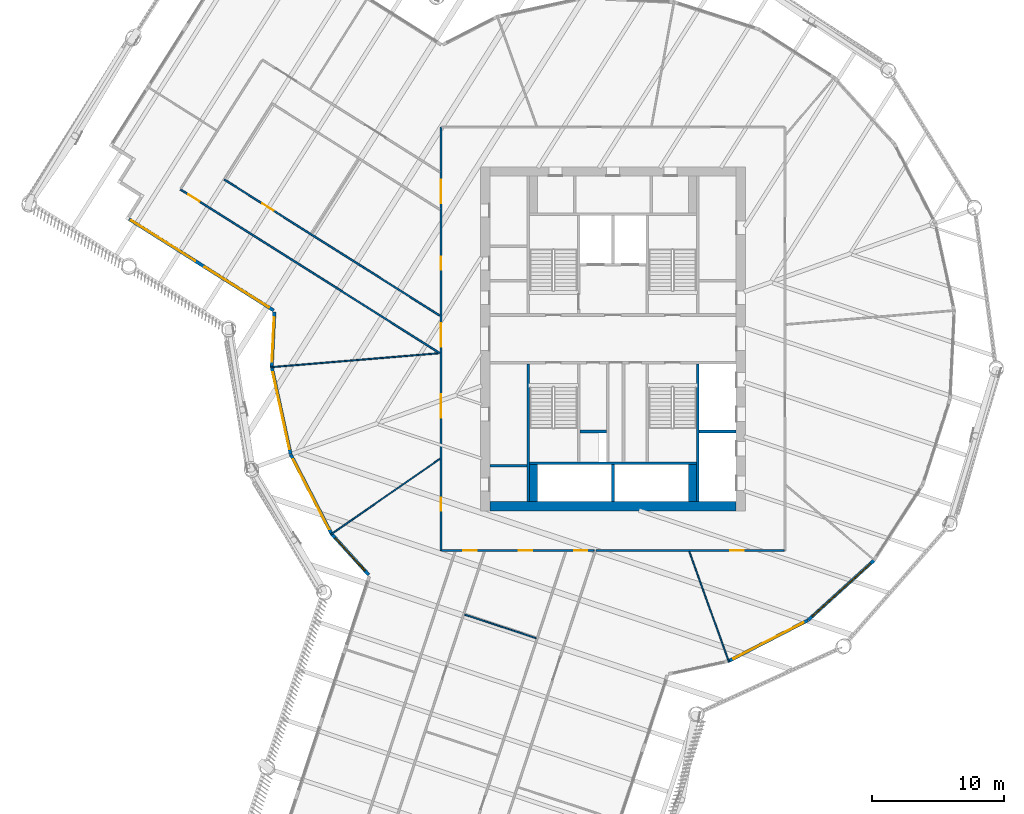
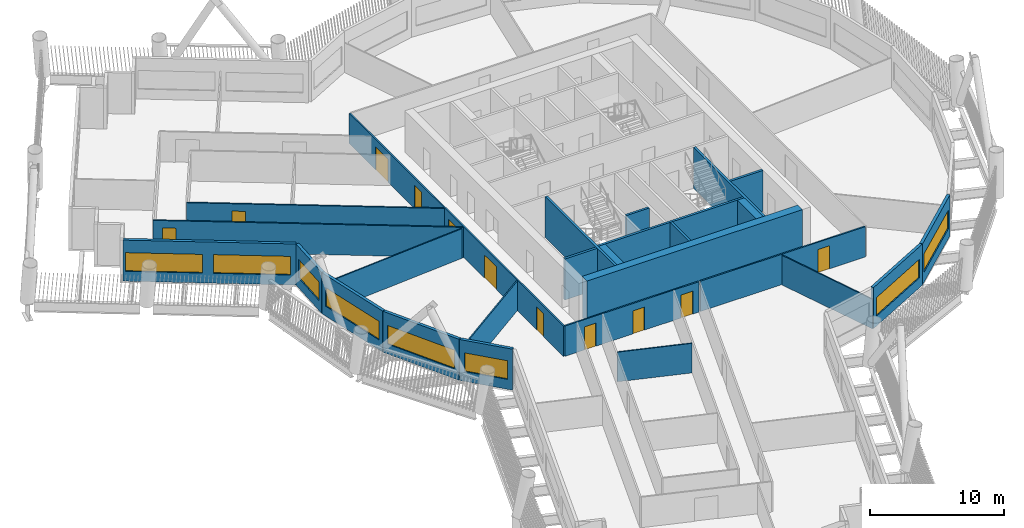
# One storey, part 4 of 22: 26 walls, 11 doors, 8 windows, 19 openings.
"""IFC4 building model written with IfcOpenShell, lengths in metres."""

from ifc_helpers import new_model, si_unit, direction, frame, frame_2d, origin, place, context, subcontext, project, spatial, rectangle, extrude, material, layer, layer_set, type_object, element, fill, save


model = new_model("IFC4")

# Units and contexts
model_context = context("Model", 3, precision=1e-05, world=origin(), true_north=direction((0.0, 1.0)))
body_context = subcontext(model_context, "Body", "Model", "MODEL_VIEW")
ifc_project = project(units=[si_unit("LENGTHUNIT", "METRE"), si_unit("AREAUNIT", "SQUARE_METRE"), si_unit("VOLUMEUNIT", "CUBIC_METRE"), si_unit("PLANEANGLEUNIT", "RADIAN"), si_unit("MASSUNIT", "GRAM", prefix="KILO")], contexts=[model_context])

# Site, building, storey
site_placement = place(None, origin())
site = spatial("IfcSite", under=ifc_project, at=site_placement, CompositionType="ELEMENT")
building_placement = place(site_placement, origin())
building = spatial("IfcBuilding", under=site, at=building_placement, Name="Tarsis Ring Headquarters", CompositionType="ELEMENT")
storey_placement = place(building_placement, frame((0.0, 0.0, 147.60009765625)))
storey = spatial("IfcBuildingStorey", under=building, at=storey_placement, Name="L33", CompositionType="ELEMENT", Elevation=147.60009765625)

# Walls
ifc_material_1 = material(Name="Blockwork", Category="masonry")
ifc_layer_1 = layer(ifc_material_1, 0.199951171875)
ifc_layer_set_1 = layer_set([ifc_layer_1], Name="Core blockwork wall 200")
wall_type_1 = type_object("IfcWallType", Name="Core blockwork wall 200", PredefinedType="PARTITIONING", material=ifc_layer_set_1)
wall_1_placement = place(storey_placement, frame((-9.300048828125, -9.60009765625, 0.0), z_axis=(0.0, 0.0, 1.0), x_axis=(1.0, 0.0, 0.0)))
element("IfcWall", 1, at=wall_1_placement, inside=storey, type_object=wall_type_1, Name="Core partition WD1", PredefinedType="PARTITIONING", context=body_context, shape_type="SweptSolid", body=[
    extrude(rectangle(XDim=2.800048828125, YDim=0.199951171875, at=frame_2d((1.39990234375, 0.0))), origin(), (0.0, 0.0, 1.0), 3.739990234375),
])
wall_2_placement = place(storey_placement, frame((-2.5, -7.0, 0.0), z_axis=(0.0, 0.0, 1.0), x_axis=(1.0, 0.0, 0.0)))
element("IfcWall", 2, at=wall_2_placement, inside=storey, type_object=wall_type_1, Name="Core partition SP1", PredefinedType="PARTITIONING", context=body_context, shape_type="SweptSolid", body=[
    extrude(rectangle(XDim=2.0, YDim=0.199951171875, at=frame_2d((1.0, 0.0))), origin(), (0.0, 0.0, 1.0), 3.739990234375),
])
ifc_material_2 = material(Name="Concrete C60/75", Category="concrete")
ifc_layer_2 = layer(ifc_material_2, 0.699951171875)
ifc_layer_set_2 = layer_set([ifc_layer_2], Name="Core wall 700 C60/75")
wall_type_2 = type_object("IfcWallType", Name="Core wall 700 C60/75", PredefinedType="SHEAR", material=ifc_layer_set_2)
wall_3_placement = place(storey_placement, frame((-9.300048828125, -12.64990234375, 0.0), z_axis=(0.0, 0.0, 1.0), x_axis=(1.0, 0.0, 0.0)))
element("IfcWall", 3, at=wall_3_placement, inside=storey, type_object=wall_type_2, Name="Core wall OS", PredefinedType="SHEAR", context=body_context, shape_type="SweptSolid", body=[
    extrude(rectangle(XDim=18.60009765625, YDim=0.699951171875, at=frame_2d((9.300048828125, 0.0))), origin(), (0.0, 0.0, 1.0), 3.739990234375),
])
ifc_material_3 = material(Name="Gypsum board on steel studs", Category="steel")
ifc_layer_3 = layer(ifc_material_3, 0.10009765625)
ifc_layer_set_3 = layer_set([ifc_layer_3], Name="FL partition 100 unrated")
wall_type_3 = type_object("IfcWallType", Name="FL partition 100 unrated", PredefinedType="PARTITIONING", material=ifc_layer_set_3)
wall_4_placement = place(storey_placement, frame((-25.859130859375, -2.144287109375, 0.0), z_axis=(0.0, 0.0, 1.0), x_axis=(0.996579559742, 0.082638859535, 0.0)))
element("IfcWall", 4, at=wall_4_placement, inside=storey, type_object=wall_type_3, Name="Partition PW3", PredefinedType="PARTITIONING", context=body_context, shape_type="SweptSolid", body=[
    extrude(rectangle(XDim=12.671142578125, YDim=0.10009765625, at=frame_2d((6.33544921875, 0.0))), origin(), (0.0, 0.0, 1.0), 2.699951171875),
])
wall_5_placement = place(storey_placement, frame((-21.322509765625, -14.78662109375, 0.0), z_axis=(0.0, 0.0, 1.0), x_axis=(0.821733534454, 0.569871913989, 0.0)))
element("IfcWall", 5, at=wall_5_placement, inside=storey, type_object=wall_type_3, Name="Partition PW3", PredefinedType="PARTITIONING", context=body_context, shape_type="SweptSolid", body=[
    extrude(rectangle(XDim=10.02783203125, YDim=0.10009765625, at=frame_2d((5.013916015625, 0.0))), origin(), (0.0, 0.0, 1.0), 2.699951171875),
])
wall_6_placement = place(storey_placement, frame((5.7685546875, -16.0751953125, 0.0), z_axis=(0.0, 0.0, 1.0), x_axis=(0.337732821106, -0.941242020709, 0.0)))
element("IfcWall", 6, at=wall_6_placement, inside=storey, type_object=wall_type_3, Name="Partition PW3", PredefinedType="PARTITIONING", context=body_context, shape_type="SweptSolid", body=[
    extrude(rectangle(XDim=8.869140625, YDim=0.10009765625, at=frame_2d((4.4345703125, 0.0))), origin(), (0.0, 0.0, 1.0), 2.699951171875),
])
wall_7_placement = place(storey_placement, frame((-11.213134765625, -20.835693359375, 0.0), z_axis=(0.0, 0.0, 1.0), x_axis=(0.949638335632, -0.313348099562, 0.0)))
element("IfcWall", 7, at=wall_7_placement, inside=storey, type_object=wall_type_3, Name="Partition PW3", PredefinedType="PARTITIONING", context=body_context, shape_type="SweptSolid", body=[
    extrude(rectangle(XDim=5.7001953125, YDim=0.10009765625, at=frame_2d((2.85009765625, 0.0))), origin(), (0.0, 0.0, 1.0), 2.699951171875),
])

# Wall, openings, doors
ifc_layer_4 = layer(ifc_material_3, 0.125)
ifc_layer_set_4 = layer_set([ifc_layer_4], Name="FL partition 125 EI 60 H2770")
wall_type_4 = type_object("IfcWallType", Name="FL partition 125 EI 60 H2770", PredefinedType="PARTITIONING", material=ifc_layer_set_4)
wall_8_placement = place(storey_placement, frame((-13.0, -16.0, 0.0), z_axis=(0.0, 0.0, 1.0), x_axis=(0.0, 1.0, 0.0)))
wall_8 = element("IfcWall", 8, at=wall_8_placement, inside=storey, type_object=wall_type_4, Name="Partition PW1", PredefinedType="PARTITIONING", context=body_context, shape_type="SweptSolid", body=[
    extrude(rectangle(XDim=32.0, YDim=0.125, at=frame_2d((16.0, 0.0))), origin(), (0.0, 0.0, 1.0), 2.77001953125),
])
opening_1_placement = place(wall_8_placement, frame((2.992431640625, 0.0, 0.0)))
opening_1 = element("IfcOpeningElement", 9, at=opening_1_placement, cuts=wall_8, Name="Opening D33.12", PredefinedType="OPENING", context=body_context, shape_type="SweptSolid", body=[
    extrude(rectangle(XDim=1.0, YDim=2.10009765625, at=frame_2d((0.5, 1.050048828125))), frame((0.0, 0.072509765625, 0.0), z_axis=(0.0, -1.0, 0.0), x_axis=(1.0, 0.0, 0.0)), (0.0, 0.0, 1.0), 0.14501953125),
])
opening_2_placement = place(wall_8_placement, frame((10.024169921875, 0.0, 0.0)))
opening_2 = element("IfcOpeningElement", 10, at=opening_2_placement, cuts=wall_8, Name="Opening D33.13", PredefinedType="OPENING", context=body_context, shape_type="SweptSolid", body=[
    extrude(rectangle(XDim=1.800048828125, YDim=2.10009765625, at=frame_2d((0.89990234375, 1.050048828125))), frame((0.0, 0.072509765625, 0.0), z_axis=(0.0, -1.0, 0.0), x_axis=(1.0, 0.0, 0.0)), (0.0, 0.0, 1.0), 0.14501953125),
])
opening_3_placement = place(wall_8_placement, frame((21.21044921875, 0.0, 0.0)))
opening_3 = element("IfcOpeningElement", 11, at=opening_3_placement, cuts=wall_8, Name="Opening D33.14", PredefinedType="OPENING", context=body_context, shape_type="SweptSolid", body=[
    extrude(rectangle(XDim=1.0, YDim=2.10009765625, at=frame_2d((0.5, 1.050048828125))), frame((0.0, 0.072509765625, 0.0), z_axis=(0.0, -1.0, 0.0), x_axis=(1.0, 0.0, 0.0)), (0.0, 0.0, 1.0), 0.14501953125),
])
opening_4_placement = place(wall_8_placement, frame((15.382568359375, 0.0, 0.0)))
opening_4 = element("IfcOpeningElement", 12, at=opening_4_placement, cuts=wall_8, Name="Opening D33.21", PredefinedType="OPENING", context=body_context, shape_type="SweptSolid", body=[
    extrude(rectangle(XDim=1.800048828125, YDim=2.10009765625, at=frame_2d((0.89990234375, 1.050048828125))), frame((0.0, 0.072509765625, 0.0), z_axis=(0.0, -1.0, 0.0), x_axis=(1.0, 0.0, 0.0)), (0.0, 0.0, 1.0), 0.14501953125),
])
opening_5_placement = place(wall_8_placement, frame((26.23828125, 0.0, 0.0)))
opening_5 = element("IfcOpeningElement", 13, at=opening_5_placement, cuts=wall_8, Name="Opening D33.22", PredefinedType="OPENING", context=body_context, shape_type="SweptSolid", body=[
    extrude(rectangle(XDim=1.800048828125, YDim=2.10009765625, at=frame_2d((0.89990234375, 1.050048828125))), frame((0.0, 0.072509765625, 0.0), z_axis=(0.0, -1.0, 0.0), x_axis=(1.0, 0.0, 0.0)), (0.0, 0.0, 1.0), 0.14501953125),
])
ifc_material_4 = material(Name="Fire-rated timber door leaf in steel frame", Category="steel")
door_type_1 = type_object("IfcDoorType", Name="FL door FD60-1000", OperationType="NOTDEFINED", PredefinedType="DOOR", material=ifc_material_4)
door_1_placement = place(opening_1_placement, origin())
door_1 = element("IfcDoor", 14, at=door_1_placement, inside=storey, type_object=door_type_1, Name="Door D33.12", OperationType="SINGLE_SWING_LEFT", OverallHeight=2.10009765625, OverallWidth=1.0, PredefinedType="DOOR", context=body_context, shape_type="SweptSolid", body=[
    extrude(rectangle(XDim=1.0, YDim=2.10009765625, at=frame_2d((0.5, 1.050048828125))), frame((0.0, 0.02490234375, 0.0), z_axis=(0.0, -1.0, 0.0), x_axis=(1.0, 0.0, 0.0)), (0.0, 0.0, 1.0), 0.050048828125),
])
fill(opening_1, door_1)
door_2_placement = place(opening_3_placement, origin())
door_2 = element("IfcDoor", 15, at=door_2_placement, inside=storey, type_object=door_type_1, Name="Door D33.14", OperationType="SINGLE_SWING_LEFT", OverallHeight=2.10009765625, OverallWidth=1.0, PredefinedType="DOOR", context=body_context, shape_type="SweptSolid", body=[
    extrude(rectangle(XDim=1.0, YDim=2.10009765625, at=frame_2d((0.5, 1.050048828125))), frame((0.0, 0.02490234375, 0.0), z_axis=(0.0, -1.0, 0.0), x_axis=(1.0, 0.0, 0.0)), (0.0, 0.0, 1.0), 0.050048828125),
])
fill(opening_3, door_2)
door_type_2 = type_object("IfcDoorType", Name="FL door FD60-1800", OperationType="DOUBLE_DOOR_SINGLE_SWING", PredefinedType="DOOR", material=ifc_material_4)
door_3_placement = place(opening_2_placement, origin())
door_3 = element("IfcDoor", 16, at=door_3_placement, inside=storey, type_object=door_type_2, Name="Door D33.13", OperationType="DOUBLE_DOOR_SINGLE_SWING", OverallHeight=2.10009765625, OverallWidth=1.800048828125, PredefinedType="DOOR", context=body_context, shape_type="SweptSolid", body=[
    extrude(rectangle(XDim=1.800048828125, YDim=2.10009765625, at=frame_2d((0.89990234375, 1.050048828125))), frame((0.0, 0.02490234375, 0.0), z_axis=(0.0, -1.0, 0.0), x_axis=(1.0, 0.0, 0.0)), (0.0, 0.0, 1.0), 0.050048828125),
])
fill(opening_2, door_3)
door_4_placement = place(opening_4_placement, origin())
door_4 = element("IfcDoor", 17, at=door_4_placement, inside=storey, type_object=door_type_2, Name="Door D33.21", OperationType="DOUBLE_DOOR_SINGLE_SWING", OverallHeight=2.10009765625, OverallWidth=1.800048828125, PredefinedType="DOOR", context=body_context, shape_type="SweptSolid", body=[
    extrude(rectangle(XDim=1.800048828125, YDim=2.10009765625, at=frame_2d((0.89990234375, 1.050048828125))), frame((0.0, 0.02490234375, 0.0), z_axis=(0.0, -1.0, 0.0), x_axis=(1.0, 0.0, 0.0)), (0.0, 0.0, 1.0), 0.050048828125),
])
fill(opening_4, door_4)
door_5_placement = place(opening_5_placement, origin())
door_5 = element("IfcDoor", 18, at=door_5_placement, inside=storey, type_object=door_type_2, Name="Door D33.22", OperationType="DOUBLE_DOOR_SINGLE_SWING", OverallHeight=2.10009765625, OverallWidth=1.800048828125, PredefinedType="DOOR", context=body_context, shape_type="SweptSolid", body=[
    extrude(rectangle(XDim=1.800048828125, YDim=2.10009765625, at=frame_2d((0.89990234375, 1.050048828125))), frame((0.0, 0.02490234375, 0.0), z_axis=(0.0, -1.0, 0.0), x_axis=(1.0, 0.0, 0.0)), (0.0, 0.0, 1.0), 0.050048828125),
])
fill(opening_5, door_5)

wall_9_placement = place(storey_placement, frame((-12.93994140625, -16.0, 0.0), z_axis=(0.0, 0.0, 1.0), x_axis=(1.0, 0.0, 0.0)))
wall_9 = element("IfcWall", 19, at=wall_9_placement, inside=storey, type_object=wall_type_4, Name="Partition PW1", PredefinedType="PARTITIONING", context=body_context, shape_type="SweptSolid", body=[
    extrude(rectangle(XDim=11.523193359375, YDim=0.125, at=frame_2d((5.76171875, 0.0))), origin(), (0.0, 0.0, 1.0), 2.77001953125),
])
opening_6_placement = place(wall_9_placement, frame((5.823486328125, 0.0, 0.0)))
opening_6 = element("IfcOpeningElement", 20, at=opening_6_placement, cuts=wall_9, Name="Opening D33.16", PredefinedType="OPENING", context=body_context, shape_type="SweptSolid", body=[
    extrude(rectangle(XDim=1.0, YDim=2.10009765625, at=frame_2d((0.5, 1.050048828125))), frame((0.0, 0.072509765625, 0.0), z_axis=(0.0, -1.0, 0.0), x_axis=(1.0, 0.0, 0.0)), (0.0, 0.0, 1.0), 0.14501953125),
])
opening_7_placement = place(wall_9_placement, frame((1.64306640625, 0.0, 0.0)))
opening_7 = element("IfcOpeningElement", 21, at=opening_7_placement, cuts=wall_9, Name="Opening D33.19", PredefinedType="OPENING", context=body_context, shape_type="SweptSolid", body=[
    extrude(rectangle(XDim=1.0, YDim=2.10009765625, at=frame_2d((0.5, 1.050048828125))), frame((0.0, 0.072509765625, 0.0), z_axis=(0.0, -1.0, 0.0), x_axis=(1.0, 0.0, 0.0)), (0.0, 0.0, 1.0), 0.14501953125),
])
opening_8_placement = place(wall_9_placement, frame((10.004150390625, 0.0, 0.0)))
opening_8 = element("IfcOpeningElement", 22, at=opening_8_placement, cuts=wall_9, Name="Opening D33.20", PredefinedType="OPENING", context=body_context, shape_type="SweptSolid", body=[
    extrude(rectangle(XDim=1.0, YDim=2.10009765625, at=frame_2d((0.5, 1.050048828125))), frame((0.0, 0.072509765625, 0.0), z_axis=(0.0, -1.0, 0.0), x_axis=(1.0, 0.0, 0.0)), (0.0, 0.0, 1.0), 0.14501953125),
])
door_6_placement = place(opening_6_placement, origin())
door_6 = element("IfcDoor", 23, at=door_6_placement, inside=storey, type_object=door_type_1, Name="Door D33.16", OperationType="SINGLE_SWING_LEFT", OverallHeight=2.10009765625, OverallWidth=1.0, PredefinedType="DOOR", context=body_context, shape_type="SweptSolid", body=[
    extrude(rectangle(XDim=1.0, YDim=2.10009765625, at=frame_2d((0.5, 1.050048828125))), frame((0.0, 0.02490234375, 0.0), z_axis=(0.0, -1.0, 0.0), x_axis=(1.0, 0.0, 0.0)), (0.0, 0.0, 1.0), 0.050048828125),
])
fill(opening_6, door_6)
door_7_placement = place(opening_7_placement, origin())
door_7 = element("IfcDoor", 24, at=door_7_placement, inside=storey, type_object=door_type_1, Name="Door D33.19", OperationType="SINGLE_SWING_RIGHT", OverallHeight=2.10009765625, OverallWidth=1.0, PredefinedType="DOOR", context=body_context, shape_type="SweptSolid", body=[
    extrude(rectangle(XDim=1.0, YDim=2.10009765625, at=frame_2d((0.5, 1.050048828125))), frame((0.0, 0.02490234375, 0.0), z_axis=(0.0, -1.0, 0.0), x_axis=(1.0, 0.0, 0.0)), (0.0, 0.0, 1.0), 0.050048828125),
])
fill(opening_7, door_7)
door_8_placement = place(opening_8_placement, origin())
door_8 = element("IfcDoor", 25, at=door_8_placement, inside=storey, type_object=door_type_1, Name="Door D33.20", OperationType="SINGLE_SWING_LEFT", OverallHeight=2.10009765625, OverallWidth=1.0, PredefinedType="DOOR", context=body_context, shape_type="SweptSolid", body=[
    extrude(rectangle(XDim=1.0, YDim=2.10009765625, at=frame_2d((0.5, 1.050048828125))), frame((0.0, 0.02490234375, 0.0), z_axis=(0.0, -1.0, 0.0), x_axis=(1.0, 0.0, 0.0)), (0.0, 0.0, 1.0), 0.050048828125),
])
fill(opening_8, door_8)

# Wall, opening, door
wall_10_placement = place(storey_placement, frame((-1.27099609375, -16.0, 0.0), z_axis=(0.0, 0.0, 1.0), x_axis=(1.0, 0.0, 0.0)))
wall_10 = element("IfcWall", 26, at=wall_10_placement, inside=storey, type_object=wall_type_4, Name="Partition PW1", PredefinedType="PARTITIONING", context=body_context, shape_type="SweptSolid", body=[
    extrude(rectangle(XDim=14.2109375, YDim=0.125, at=frame_2d((7.10546875, 0.0))), origin(), (0.0, 0.0, 1.0), 2.77001953125),
])
opening_9_placement = place(wall_10_placement, frame((10.1416015625, 0.0, 0.0)))
opening_9 = element("IfcOpeningElement", 27, at=opening_9_placement, cuts=wall_10, Name="Opening D33.08", PredefinedType="OPENING", context=body_context, shape_type="SweptSolid", body=[
    extrude(rectangle(XDim=1.0, YDim=2.10009765625, at=frame_2d((0.5, 1.050048828125))), frame((0.0, 0.072509765625, 0.0), z_axis=(0.0, -1.0, 0.0), x_axis=(1.0, 0.0, 0.0)), (0.0, 0.0, 1.0), 0.14501953125),
])
door_9_placement = place(opening_9_placement, origin())
door_9 = element("IfcDoor", 28, at=door_9_placement, inside=storey, type_object=door_type_1, Name="Door D33.08", OperationType="SINGLE_SWING_LEFT", OverallHeight=2.10009765625, OverallWidth=1.0, PredefinedType="DOOR", context=body_context, shape_type="SweptSolid", body=[
    extrude(rectangle(XDim=1.0, YDim=2.10009765625, at=frame_2d((0.5, 1.050048828125))), frame((0.0, 0.02490234375, 0.0), z_axis=(0.0, -1.0, 0.0), x_axis=(1.0, 0.0, 0.0)), (0.0, 0.0, 1.0), 0.050048828125),
])
fill(opening_9, door_9)

wall_11_placement = place(storey_placement, frame((-32.689208984375, 11.291259765625, 0.0), z_axis=(0.0, 0.0, 1.0), x_axis=(0.845630508555, -0.53376871677, 0.0)))
wall_11 = element("IfcWall", 29, at=wall_11_placement, inside=storey, type_object=wall_type_4, Name="Partition PW1", PredefinedType="PARTITIONING", context=body_context, shape_type="SweptSolid", body=[
    extrude(rectangle(XDim=23.183349609375, YDim=0.125, at=frame_2d((11.591796875, 0.0))), origin(), (0.0, 0.0, 1.0), 2.77001953125),
])
opening_10_placement = place(wall_11_placement, frame((0.699951171875, 0.0, 0.0)))
opening_10 = element("IfcOpeningElement", 30, at=opening_10_placement, cuts=wall_11, Name="Opening D33.01", PredefinedType="OPENING", context=body_context, shape_type="SweptSolid", body=[
    extrude(rectangle(XDim=1.0, YDim=2.10009765625, at=frame_2d((0.5, 1.050048828125))), frame((0.0, 0.072509765625, 0.0), z_axis=(0.0, -1.0, 0.0), x_axis=(1.0, 0.0, 0.0)), (0.0, 0.0, 1.0), 0.14501953125),
])
door_10_placement = place(opening_10_placement, origin())
door_10 = element("IfcDoor", 31, at=door_10_placement, inside=storey, type_object=door_type_1, Name="Door D33.01", OperationType="SINGLE_SWING_RIGHT", OverallHeight=2.10009765625, OverallWidth=1.0, PredefinedType="DOOR", context=body_context, shape_type="SweptSolid", body=[
    extrude(rectangle(XDim=1.0, YDim=2.10009765625, at=frame_2d((0.5, 1.050048828125))), frame((0.0, 0.02490234375, 0.0), z_axis=(0.0, -1.0, 0.0), x_axis=(1.0, 0.0, 0.0)), (0.0, 0.0, 1.0), 0.050048828125),
])
fill(opening_10, door_10)

wall_12_placement = place(storey_placement, frame((-29.378662109375, 12.039794921875, 0.0), z_axis=(0.0, 0.0, 1.0), x_axis=(0.845629478688, -0.533770348347, 0.0)))
wall_12 = element("IfcWall", 32, at=wall_12_placement, inside=storey, type_object=wall_type_4, Name="Partition PW1", PredefinedType="PARTITIONING", context=body_context, shape_type="SweptSolid", body=[
    extrude(rectangle(XDim=19.268310546875, YDim=0.125, at=frame_2d((9.63427734375, 0.0))), origin(), (0.0, 0.0, 1.0), 2.77001953125),
])
opening_11_placement = place(wall_12_placement, frame((3.40478515625, 0.0, 0.0)))
opening_11 = element("IfcOpeningElement", 33, at=opening_11_placement, cuts=wall_12, Name="Opening D33.15", PredefinedType="OPENING", context=body_context, shape_type="SweptSolid", body=[
    extrude(rectangle(XDim=1.0, YDim=2.10009765625, at=frame_2d((0.5, 1.050048828125))), frame((0.0, 0.072509765625, 0.0), z_axis=(0.0, -1.0, 0.0), x_axis=(1.0, 0.0, 0.0)), (0.0, 0.0, 1.0), 0.14501953125),
])
door_11_placement = place(opening_11_placement, origin())
door_11 = element("IfcDoor", 34, at=door_11_placement, inside=storey, type_object=door_type_1, Name="Door D33.15", OperationType="SINGLE_SWING_RIGHT", OverallHeight=2.10009765625, OverallWidth=1.0, PredefinedType="DOOR", context=body_context, shape_type="SweptSolid", body=[
    extrude(rectangle(XDim=1.0, YDim=2.10009765625, at=frame_2d((0.5, 1.050048828125))), frame((0.0, 0.02490234375, 0.0), z_axis=(0.0, -1.0, 0.0), x_axis=(1.0, 0.0, 0.0)), (0.0, 0.0, 1.0), 0.050048828125),
])
fill(opening_11, door_11)

# Wall, openings, windows
ifc_material_5 = material(Name="Terracotta clad insulated panel wall", Category="masonry")
ifc_layer_5 = layer(ifc_material_5, 0.25)
ifc_layer_set_5 = layer_set([ifc_layer_5], Name="Facade wall terracotta panel 250")
wall_type_5 = type_object("IfcWallType", Name="Facade wall terracotta panel 250", PredefinedType="STANDARD", material=ifc_layer_set_5)
wall_13_placement = place(storey_placement, frame((-36.56982421875, 9.0400390625, 0.0), z_axis=(0.0, 0.0, 1.0), x_axis=(0.845635679256, -0.533760524926, 0.0)))
wall_13 = element("IfcWall", 35, at=wall_13_placement, inside=storey, type_object=wall_type_5, Name="External wall L33-01", PredefinedType="STANDARD", context=body_context, shape_type="SweptSolid", body=[
    extrude(rectangle(XDim=12.921875, YDim=0.25, at=frame_2d((6.4609375, 0.0))), origin(), (0.0, 0.0, 1.0), 3.739990234375),
])
opening_12_placement = place(wall_13_placement, frame((0.16796875, 0.0, 0.89990234375)))
opening_12 = element("IfcOpeningElement", 36, at=opening_12_placement, cuts=wall_13, Name="Opening WN06", PredefinedType="OPENING", context=body_context, shape_type="SweptSolid", body=[
    extrude(rectangle(XDim=5.75, YDim=1.699951171875, at=frame_2d((2.875, 0.85009765625))), frame((0.0, 0.135009765625, 0.0), z_axis=(0.0, -1.0, 0.0), x_axis=(1.0, 0.0, 0.0)), (0.0, 0.0, 1.0), 0.27001953125),
])
opening_13_placement = place(wall_13_placement, frame((6.75390625, 0.0, 0.89990234375)))
opening_13 = element("IfcOpeningElement", 37, at=opening_13_placement, cuts=wall_13, Name="Opening WN06", PredefinedType="OPENING", context=body_context, shape_type="SweptSolid", body=[
    extrude(rectangle(XDim=5.75, YDim=1.699951171875, at=frame_2d((2.875, 0.85009765625))), frame((0.0, 0.135009765625, 0.0), z_axis=(0.0, -1.0, 0.0), x_axis=(1.0, 0.0, 0.0)), (0.0, 0.0, 1.0), 0.27001953125),
])
ifc_material_6 = material(Name="Aluminium framed double glazing", Category="aluminium")
window_type_1 = type_object("IfcWindowType", Name="Facade window 5750 x 1700", PartitioningType="SINGLE_PANEL", PredefinedType="WINDOW", material=ifc_material_6)
window_1_placement = place(opening_12_placement, origin())
window_1 = element("IfcWindow", 38, at=window_1_placement, inside=storey, type_object=window_type_1, Name="Window L33-01.1", OverallHeight=1.699951171875, OverallWidth=5.75, PartitioningType="SINGLE_PANEL", PredefinedType="WINDOW", context=body_context, shape_type="SweptSolid", body=[
    extrude(rectangle(XDim=5.75, YDim=1.699951171875, at=frame_2d((2.875, 0.85009765625))), frame((0.0, 0.030029296875, 0.0), z_axis=(0.0, -1.0, 0.0), x_axis=(1.0, 0.0, 0.0)), (0.0, 0.0, 1.0), 0.06005859375),
])
fill(opening_12, window_1)
window_2_placement = place(opening_13_placement, origin())
window_2 = element("IfcWindow", 39, at=window_2_placement, inside=storey, type_object=window_type_1, Name="Window L33-01.2", OverallHeight=1.699951171875, OverallWidth=5.75, PartitioningType="SINGLE_PANEL", PredefinedType="WINDOW", context=body_context, shape_type="SweptSolid", body=[
    extrude(rectangle(XDim=5.75, YDim=1.699951171875, at=frame_2d((2.875, 0.85009765625))), frame((0.0, 0.030029296875, 0.0), z_axis=(0.0, -1.0, 0.0), x_axis=(1.0, 0.0, 0.0)), (0.0, 0.0, 1.0), 0.06005859375),
])
fill(opening_13, window_2)

# Wall, opening, window
wall_14_placement = place(storey_placement, frame((-25.58447265625, 2.031005859375, 0.0), z_axis=(0.0, 0.0, 1.0), x_axis=(-0.048153844624, -0.998839930744, 0.0)))
wall_14 = element("IfcWall", 40, at=wall_14_placement, inside=storey, type_object=wall_type_5, Name="External wall L33-02", PredefinedType="STANDARD", context=body_context, shape_type="SweptSolid", body=[
    extrude(rectangle(XDim=4.157470703125, YDim=0.25, at=frame_2d((2.07861328125, 0.0))), origin(), (0.0, 0.0, 1.0), 3.739990234375),
])
opening_14_placement = place(wall_14_placement, frame((0.420166015625, 0.0, 0.89990234375)))
opening_14 = element("IfcOpeningElement", 41, at=opening_14_placement, cuts=wall_14, Name="Opening WN01", PredefinedType="OPENING", context=body_context, shape_type="SweptSolid", body=[
    extrude(rectangle(XDim=3.35009765625, YDim=1.699951171875, at=frame_2d((1.675048828125, 0.85009765625))), frame((0.0, 0.135009765625, 0.0), z_axis=(0.0, -1.0, 0.0), x_axis=(1.0, 0.0, 0.0)), (0.0, 0.0, 1.0), 0.27001953125),
])
window_type_2 = type_object("IfcWindowType", Name="Facade window 3350 x 1700", PartitioningType="SINGLE_PANEL", PredefinedType="WINDOW", material=ifc_material_6)
window_3_placement = place(opening_14_placement, origin())
window_3 = element("IfcWindow", 42, at=window_3_placement, inside=storey, type_object=window_type_2, Name="Window L33-02.1", OverallHeight=1.699951171875, OverallWidth=3.35009765625, PartitioningType="SINGLE_PANEL", PredefinedType="WINDOW", context=body_context, shape_type="SweptSolid", body=[
    extrude(rectangle(XDim=3.35009765625, YDim=1.699951171875, at=frame_2d((1.675048828125, 0.85009765625))), frame((0.0, 0.030029296875, 0.0), z_axis=(0.0, -1.0, 0.0), x_axis=(1.0, 0.0, 0.0)), (0.0, 0.0, 1.0), 0.06005859375),
])
fill(opening_14, window_3)

wall_15_placement = place(storey_placement, frame((-25.781982421875, -2.154052734375, 0.0), z_axis=(0.0, 0.0, 1.0), x_axis=(0.212008910902, -0.977267732865, 0.0)))
wall_15 = element("IfcWall", 43, at=wall_15_placement, inside=storey, type_object=wall_type_5, Name="External wall L33-03", PredefinedType="STANDARD", context=body_context, shape_type="SweptSolid", body=[
    extrude(rectangle(XDim=6.7216796875, YDim=0.25, at=frame_2d((3.36083984375, 0.0))), origin(), (0.0, 0.0, 1.0), 3.739990234375),
])
opening_15_placement = place(wall_15_placement, frame((0.3857421875, 0.0, 0.89990234375)))
opening_15 = element("IfcOpeningElement", 44, at=opening_15_placement, cuts=wall_15, Name="Opening WN07", PredefinedType="OPENING", context=body_context, shape_type="SweptSolid", body=[
    extrude(rectangle(XDim=5.949951171875, YDim=1.699951171875, at=frame_2d((2.97509765625, 0.85009765625))), frame((0.0, 0.135009765625, 0.0), z_axis=(0.0, -1.0, 0.0), x_axis=(1.0, 0.0, 0.0)), (0.0, 0.0, 1.0), 0.27001953125),
])
window_type_3 = type_object("IfcWindowType", Name="Facade window 5950 x 1700", PartitioningType="SINGLE_PANEL", PredefinedType="WINDOW", material=ifc_material_6)
window_4_placement = place(opening_15_placement, origin())
window_4 = element("IfcWindow", 45, at=window_4_placement, inside=storey, type_object=window_type_3, Name="Window L33-03.1", OverallHeight=1.699951171875, OverallWidth=5.949951171875, PartitioningType="SINGLE_PANEL", PredefinedType="WINDOW", context=body_context, shape_type="SweptSolid", body=[
    extrude(rectangle(XDim=5.949951171875, YDim=1.699951171875, at=frame_2d((2.97509765625, 0.85009765625))), frame((0.0, 0.030029296875, 0.0), z_axis=(0.0, -1.0, 0.0), x_axis=(1.0, 0.0, 0.0)), (0.0, 0.0, 1.0), 0.06005859375),
])
fill(opening_15, window_4)

wall_16_placement = place(storey_placement, frame((-24.345947265625, -8.753662109375, 0.0), z_axis=(0.0, 0.0, 1.0), x_axis=(0.457730418722, -0.889091032334, 0.0)))
wall_16 = element("IfcWall", 46, at=wall_16_placement, inside=storey, type_object=wall_type_5, Name="External wall L33-04", PredefinedType="STANDARD", context=body_context, shape_type="SweptSolid", body=[
    extrude(rectangle(XDim=6.721435546875, YDim=0.25, at=frame_2d((3.36083984375, 0.0))), origin(), (0.0, 0.0, 1.0), 3.739990234375),
])
opening_16_placement = place(wall_16_placement, frame((0.3857421875, 0.0, 0.89990234375)))
opening_16 = element("IfcOpeningElement", 47, at=opening_16_placement, cuts=wall_16, Name="Opening WN07", PredefinedType="OPENING", context=body_context, shape_type="SweptSolid", body=[
    extrude(rectangle(XDim=5.949951171875, YDim=1.699951171875, at=frame_2d((2.97509765625, 0.85009765625))), frame((0.0, 0.135009765625, 0.0), z_axis=(0.0, -1.0, 0.0), x_axis=(1.0, 0.0, 0.0)), (0.0, 0.0, 1.0), 0.27001953125),
])
window_5_placement = place(opening_16_placement, origin())
window_5 = element("IfcWindow", 48, at=window_5_placement, inside=storey, type_object=window_type_3, Name="Window L33-04.1", OverallHeight=1.699951171875, OverallWidth=5.949951171875, PartitioningType="SINGLE_PANEL", PredefinedType="WINDOW", context=body_context, shape_type="SweptSolid", body=[
    extrude(rectangle(XDim=5.949951171875, YDim=1.699951171875, at=frame_2d((2.97509765625, 0.85009765625))), frame((0.0, 0.030029296875, 0.0), z_axis=(0.0, -1.0, 0.0), x_axis=(1.0, 0.0, 0.0)), (0.0, 0.0, 1.0), 0.06005859375),
])
fill(opening_16, window_5)

wall_17_placement = place(storey_placement, frame((-21.250732421875, -14.756591796875, 0.0), z_axis=(0.0, 0.0, 1.0), x_axis=(0.672257643465, -0.740317270367, 0.0)))
wall_17 = element("IfcWall", 49, at=wall_17_placement, inside=storey, type_object=wall_type_5, Name="External wall L33-05", PredefinedType="STANDARD", context=body_context, shape_type="SweptSolid", body=[
    extrude(rectangle(XDim=4.157470703125, YDim=0.25, at=frame_2d((2.07861328125, 0.0))), origin(), (0.0, 0.0, 1.0), 3.739990234375),
])
opening_17_placement = place(wall_17_placement, frame((0.38720703125, 0.0, 0.89990234375)))
opening_17 = element("IfcOpeningElement", 50, at=opening_17_placement, cuts=wall_17, Name="Opening WN01", PredefinedType="OPENING", context=body_context, shape_type="SweptSolid", body=[
    extrude(rectangle(XDim=3.35009765625, YDim=1.699951171875, at=frame_2d((1.675048828125, 0.85009765625))), frame((0.0, 0.135009765625, 0.0), z_axis=(0.0, -1.0, 0.0), x_axis=(1.0, 0.0, 0.0)), (0.0, 0.0, 1.0), 0.27001953125),
])
window_6_placement = place(opening_17_placement, origin())
window_6 = element("IfcWindow", 51, at=window_6_placement, inside=storey, type_object=window_type_2, Name="Window L33-05.1", OverallHeight=1.699951171875, OverallWidth=3.35009765625, PartitioningType="SINGLE_PANEL", PredefinedType="WINDOW", context=body_context, shape_type="SweptSolid", body=[
    extrude(rectangle(XDim=3.35009765625, YDim=1.699951171875, at=frame_2d((1.675048828125, 0.85009765625))), frame((0.0, 0.030029296875, 0.0), z_axis=(0.0, -1.0, 0.0), x_axis=(1.0, 0.0, 0.0)), (0.0, 0.0, 1.0), 0.06005859375),
])
fill(opening_17, window_6)

wall_18_placement = place(storey_placement, frame((8.753662109375, -24.345947265625, 0.0), z_axis=(0.0, 0.0, 1.0), x_axis=(0.889091032334, 0.457730418722, 0.0)))
wall_18 = element("IfcWall", 52, at=wall_18_placement, inside=storey, type_object=wall_type_5, Name="External wall L33-18", PredefinedType="STANDARD", context=body_context, shape_type="SweptSolid", body=[
    extrude(rectangle(XDim=6.721435546875, YDim=0.25, at=frame_2d((3.36083984375, 0.0))), origin(), (0.0, 0.0, 1.0), 3.739990234375),
])
opening_18_placement = place(wall_18_placement, frame((0.3857421875, 0.0, 0.89990234375)))
opening_18 = element("IfcOpeningElement", 53, at=opening_18_placement, cuts=wall_18, Name="Opening WN07", PredefinedType="OPENING", context=body_context, shape_type="SweptSolid", body=[
    extrude(rectangle(XDim=5.949951171875, YDim=1.699951171875, at=frame_2d((2.97509765625, 0.85009765625))), frame((0.0, 0.135009765625, 0.0), z_axis=(0.0, -1.0, 0.0), x_axis=(1.0, 0.0, 0.0)), (0.0, 0.0, 1.0), 0.27001953125),
])
window_7_placement = place(opening_18_placement, origin())
window_7 = element("IfcWindow", 54, at=window_7_placement, inside=storey, type_object=window_type_3, Name="Window L33-18.1", OverallHeight=1.699951171875, OverallWidth=5.949951171875, PartitioningType="SINGLE_PANEL", PredefinedType="WINDOW", context=body_context, shape_type="SweptSolid", body=[
    extrude(rectangle(XDim=5.949951171875, YDim=1.699951171875, at=frame_2d((2.97509765625, 0.85009765625))), frame((0.0, 0.030029296875, 0.0), z_axis=(0.0, -1.0, 0.0), x_axis=(1.0, 0.0, 0.0)), (0.0, 0.0, 1.0), 0.06005859375),
])
fill(opening_18, window_7)

wall_19_placement = place(storey_placement, frame((14.756591796875, -21.250732421875, 0.0), z_axis=(0.0, 0.0, 1.0), x_axis=(0.740321256563, 0.672253253678, 0.0)))
wall_19 = element("IfcWall", 55, at=wall_19_placement, inside=storey, type_object=wall_type_5, Name="External wall L33-19", PredefinedType="STANDARD", context=body_context, shape_type="SweptSolid", body=[
    extrude(rectangle(XDim=6.721435546875, YDim=0.25, at=frame_2d((3.36083984375, 0.0))), origin(), (0.0, 0.0, 1.0), 3.739990234375),
])
opening_19_placement = place(wall_19_placement, frame((0.3857421875, 0.0, 0.89990234375)))
opening_19 = element("IfcOpeningElement", 56, at=opening_19_placement, cuts=wall_19, Name="Opening WN07", PredefinedType="OPENING", context=body_context, shape_type="SweptSolid", body=[
    extrude(rectangle(XDim=5.949951171875, YDim=1.699951171875, at=frame_2d((2.97509765625, 0.85009765625))), frame((0.0, 0.135009765625, 0.0), z_axis=(0.0, -1.0, 0.0), x_axis=(1.0, 0.0, 0.0)), (0.0, 0.0, 1.0), 0.27001953125),
])
window_8_placement = place(opening_19_placement, origin())
window_8 = element("IfcWindow", 57, at=window_8_placement, inside=storey, type_object=window_type_3, Name="Window L33-19.1", OverallHeight=1.699951171875, OverallWidth=5.949951171875, PartitioningType="SINGLE_PANEL", PredefinedType="WINDOW", context=body_context, shape_type="SweptSolid", body=[
    extrude(rectangle(XDim=5.949951171875, YDim=1.699951171875, at=frame_2d((2.97509765625, 0.85009765625))), frame((0.0, 0.030029296875, 0.0), z_axis=(0.0, -1.0, 0.0), x_axis=(1.0, 0.0, 0.0)), (0.0, 0.0, 1.0), 0.06005859375),
])
fill(opening_19, window_8)

# Walls
ifc_material_7 = material(Name="Concrete C32/40", Category="concrete")
ifc_layer_6 = layer(ifc_material_7, 0.60009765625)
ifc_layer_set_6 = layer_set([ifc_layer_6], Name="Shaft end wall 600 C32/40")
wall_type_6 = type_object("IfcWallType", Name="Shaft end wall 600 C32/40", PredefinedType="SOLIDWALL", material=ifc_layer_set_6)
for number, where, z_axis, x_axis, name in (
    (58, (-6.0, -12.300048828125, 0.0), (0.0, 0.0, 1.0), (0.0, 1.0, 0.0), "Core shaft wall SNE1"),
    (59, (6.0, -12.300048828125, 0.0), (0.0, 0.0, 1.0), (0.0, 1.0, 0.0), "Core shaft wall SNE2"),
):
    element("IfcWall", number, at=place(storey_placement, frame(where, z_axis=z_axis, x_axis=x_axis)), inside=storey, type_object=wall_type_6, Name=name, PredefinedType="SOLIDWALL", context=body_context, shape_type="SweptSolid", body=[
        extrude(rectangle(XDim=2.800048828125, YDim=0.60009765625, at=frame_2d((1.39990234375, 0.0))), origin(), (0.0, 0.0, 1.0), 3.739990234375),
    ])
ifc_layer_7 = layer(ifc_material_7, 0.199951171875)
ifc_layer_set_7 = layer_set([ifc_layer_7], Name="Shaft wall 200 C32/40")
wall_type_7 = type_object("IfcWallType", Name="Shaft wall 200 C32/40", PredefinedType="SOLIDWALL", material=ifc_layer_set_7)
for number, where, z_axis, x_axis, name in (
    (60, (-6.39990234375, -12.300048828125, 0.0), (0.0, 0.0, 1.0), (0.0, 1.0, 0.0), "Core shaft wall WB1"),
    (61, (6.39990234375, -12.300048828125, 0.0), (0.0, 0.0, 1.0), (0.0, 1.0, 0.0), "Core shaft wall EB1"),
):
    element("IfcWall", number, at=place(storey_placement, frame(where, z_axis=z_axis, x_axis=x_axis)), inside=storey, type_object=wall_type_7, Name=name, PredefinedType="SOLIDWALL", context=body_context, shape_type="SweptSolid", body=[
        extrude(rectangle(XDim=10.400146484375, YDim=0.199951171875, at=frame_2d((5.2001953125, 0.0))), origin(), (0.0, 0.0, 1.0), 3.739990234375),
    ])
wall_20_placement = place(storey_placement, frame((-6.300048828125, -9.39990234375, 0.0), z_axis=(0.0, 0.0, 1.0), x_axis=(1.0, 0.0, 0.0)))
element("IfcWall", 62, at=wall_20_placement, inside=storey, type_object=wall_type_7, Name="Core shaft wall SB", PredefinedType="SOLIDWALL", context=body_context, shape_type="SweptSolid", body=[
    extrude(rectangle(XDim=12.60009765625, YDim=0.199951171875, at=frame_2d((6.300048828125, 0.0))), origin(), (0.0, 0.0, 1.0), 3.739990234375),
])
for number, where, z_axis, x_axis, name in (
    (63, (6.5, -7.0, 0.0), (0.0, 0.0, 1.0), (1.0, 0.0, 0.0), "Core shaft wall ED2"),
    (64, (0.0, -12.300048828125, 0.0), (0.0, 0.0, 1.0), (0.0, 1.0, 0.0), "Core shaft wall SD2"),
):
    element("IfcWall", number, at=place(storey_placement, frame(where, z_axis=z_axis, x_axis=x_axis)), inside=storey, type_object=wall_type_7, Name=name, PredefinedType="SOLIDWALL", context=body_context, shape_type="SweptSolid", body=[
        extrude(rectangle(XDim=2.800048828125, YDim=0.199951171875, at=frame_2d((1.39990234375, 0.0))), origin(), (0.0, 0.0, 1.0), 3.739990234375),
    ])

save(model, "model.ifc")
